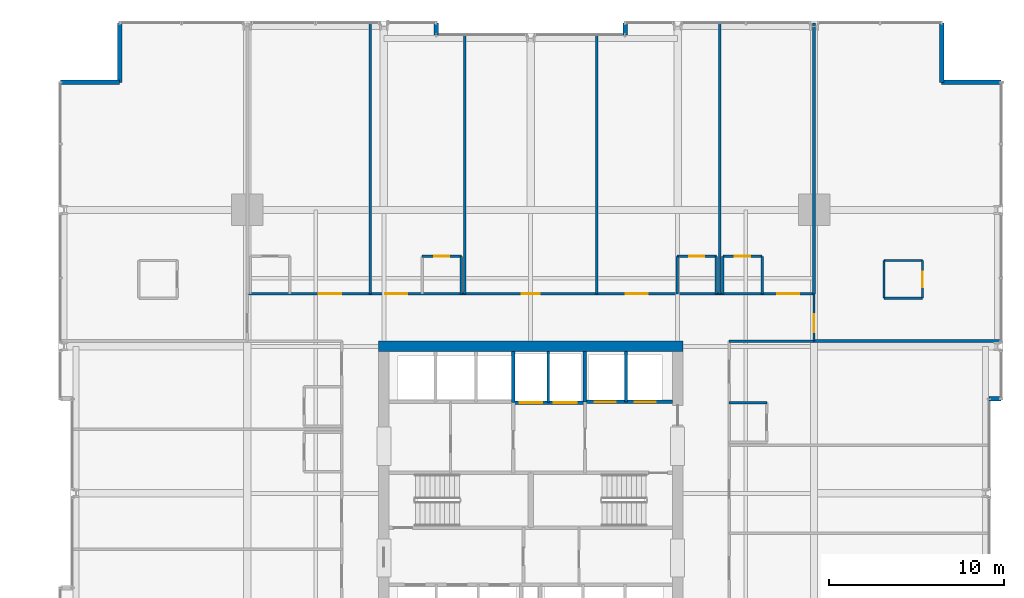
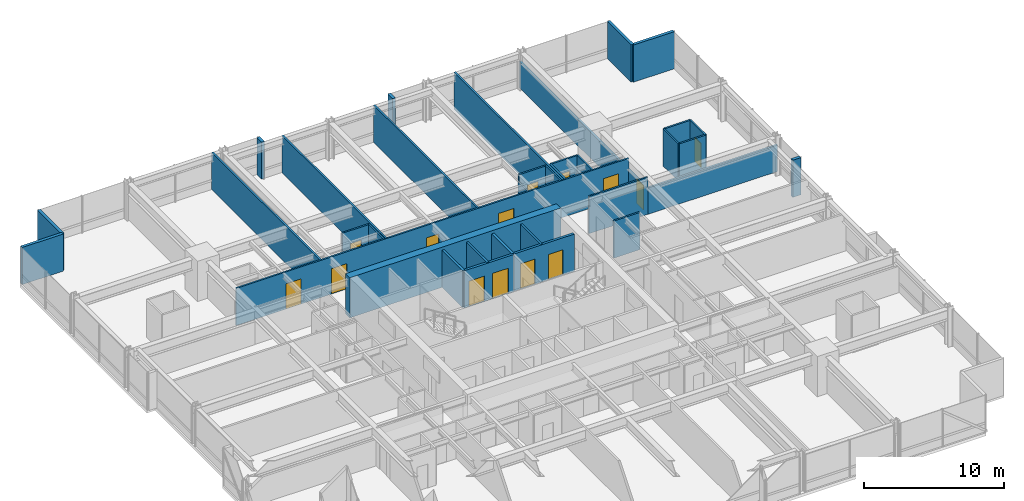
# One storey, part 33 of 39: 36 walls, 14 doors, 14 openings.
"""IFC4 building model written with IfcOpenShell, lengths in metres."""

from ifc_helpers import new_model, si_unit, direction, frame, frame_2d, origin, place, context, subcontext, project, spatial, rectangle, extrude, material, layer, layer_set, type_object, element, fill, save


model = new_model("IFC4")

# Units and contexts
model_context = context("Model", 3, precision=1e-05, world=origin(), true_north=direction((0.0, 1.0)))
body_context = subcontext(model_context, "Body", "Model", "MODEL_VIEW")
ifc_project = project(units=[si_unit("LENGTHUNIT", "METRE"), si_unit("AREAUNIT", "SQUARE_METRE"), si_unit("VOLUMEUNIT", "CUBIC_METRE"), si_unit("PLANEANGLEUNIT", "RADIAN"), si_unit("MASSUNIT", "GRAM", prefix="KILO")], contexts=[model_context])

# Site, building, storey
site_placement = place(None, origin())
site = spatial("IfcSite", under=ifc_project, at=site_placement, CompositionType="ELEMENT")
building_placement = place(site_placement, origin())
building = spatial("IfcBuilding", under=site, at=building_placement, Name="Drelvath Grand Hotel", CompositionType="ELEMENT")
storey_placement = place(building_placement, frame((0.0, 0.0, 54.199951171875)))
storey = spatial("IfcBuildingStorey", under=building, at=storey_placement, Name="L12", CompositionType="ELEMENT", Elevation=54.199951171875)

# Wall, openings, doors
ifc_material_1 = material(Name="Concrete C40/50", Category="concrete")
ifc_layer_1 = layer(ifc_material_1, 0.199951171875)
ifc_layer_set_1 = layer_set([ifc_layer_1], Name="Concrete C40/50")
wall_type_1 = type_object("IfcWallType", Name="Core Hoistway Fire Wall 200", PredefinedType="SOLIDWALL", material=ifc_layer_set_1)
wall_1_placement = place(storey_placement, frame((3.10009765625, 32.219970703125, 0.0), z_axis=(0.0, 0.0, 1.0), x_axis=(1.0, 0.0, 0.0)))
wall_1 = element("IfcWall", 1, at=wall_1_placement, inside=storey, type_object=wall_type_1, Name="L12 FSAE Hoistway Front Wall", PredefinedType="SOLIDWALL", context=body_context, shape_type="SweptSolid", body=[
    extrude(rectangle(XDim=5.0, YDim=0.199951171875, at=frame_2d((2.5, 0.0))), origin(), (0.0, 0.0, 1.0), 3.239990234375),
])
opening_1_placement = place(wall_1_placement, frame((0.550048828125, 0.0, 0.0)))
opening_1 = element("IfcOpeningElement", 2, at=opening_1_placement, cuts=wall_1, Name="Opening LD-FSAE-1", PredefinedType="OPENING", context=body_context, shape_type="SweptSolid", body=[
    extrude(rectangle(XDim=1.199951171875, YDim=2.199951171875, at=frame_2d((0.60009765625, 1.10009765625))), frame((0.0, 0.10986328125, 0.0), z_axis=(0.0, -1.0, 0.0), x_axis=(1.0, 0.0, 0.0)), (0.0, 0.0, 1.0), 0.219970703125),
])
opening_2_placement = place(wall_1_placement, frame((2.85009765625, 0.0, 0.0)))
opening_2 = element("IfcOpeningElement", 3, at=opening_2_placement, cuts=wall_1, Name="Opening LD-FSAE-2", PredefinedType="OPENING", context=body_context, shape_type="SweptSolid", body=[
    extrude(rectangle(XDim=1.199951171875, YDim=2.199951171875, at=frame_2d((0.60009765625, 1.10009765625))), frame((0.0, 0.10986328125, 0.0), z_axis=(0.0, -1.0, 0.0), x_axis=(1.0, 0.0, 0.0)), (0.0, 0.0, 1.0), 0.219970703125),
])
ifc_material_2 = material(Name="Stainless Steel S355", Category="steel")
door_type_1 = type_object("IfcDoorType", Name="FSAE Lift Sliding Landing Door 1200x2200", OperationType="NOTDEFINED", PredefinedType="DOOR", material=ifc_material_2)
door_1_placement = place(opening_1_placement, origin())
door_1 = element("IfcDoor", 4, at=door_1_placement, inside=storey, type_object=door_type_1, Name="L12 Lift FSAE-1 Landing Door", OperationType="SLIDING_TO_LEFT", OverallHeight=2.199951171875, OverallWidth=1.199951171875, PredefinedType="DOOR", context=body_context, shape_type="SweptSolid", body=[
    extrude(rectangle(XDim=1.199951171875, YDim=2.199951171875, at=frame_2d((0.60009765625, 1.10009765625))), frame((0.0, 0.02490234375, 0.0), z_axis=(0.0, -1.0, 0.0), x_axis=(1.0, 0.0, 0.0)), (0.0, 0.0, 1.0), 0.050048828125),
])
fill(opening_1, door_1)
door_2_placement = place(opening_2_placement, origin())
door_2 = element("IfcDoor", 5, at=door_2_placement, inside=storey, type_object=door_type_1, Name="L12 Lift FSAE-2 Landing Door", OperationType="SLIDING_TO_LEFT", OverallHeight=2.199951171875, OverallWidth=1.199951171875, PredefinedType="DOOR", context=body_context, shape_type="SweptSolid", body=[
    extrude(rectangle(XDim=1.199951171875, YDim=2.199951171875, at=frame_2d((0.60009765625, 1.10009765625))), frame((0.0, 0.02490234375, 0.0), z_axis=(0.0, -1.0, 0.0), x_axis=(1.0, 0.0, 0.0)), (0.0, 0.0, 1.0), 0.050048828125),
])
fill(opening_2, door_2)

# Wall
wall_2_placement = place(storey_placement, frame((3.10009765625, 32.219970703125, 0.0), z_axis=(0.0, 0.0, 1.0), x_axis=(0.0, 1.0, 0.0)))
element("IfcWall", 6, at=wall_2_placement, inside=storey, type_object=wall_type_1, Name="L12 FSAE Hoistway West Wall", PredefinedType="SOLIDWALL", context=body_context, shape_type="SweptSolid", body=[
    extrude(rectangle(XDim=2.880126953125, YDim=0.199951171875, at=frame_2d((1.43994140625, 0.0))), origin(), (0.0, 0.0, 1.0), 3.239990234375),
])

# Wall, openings, doors
wall_3_placement = place(storey_placement, frame((-1.0, 32.179931640625, 0.0), z_axis=(0.0, 0.0, 1.0), x_axis=(1.0, 0.0, 0.0)))
wall_3 = element("IfcWall", 7, at=wall_3_placement, inside=storey, type_object=wall_type_1, Name="L12 Service Lift Hoistway Wall", PredefinedType="SOLIDWALL", context=body_context, shape_type="SweptSolid", body=[
    extrude(rectangle(XDim=4.10009765625, YDim=0.199951171875, at=frame_2d((2.050048828125, 0.0))), origin(), (0.0, 0.0, 1.0), 3.239990234375),
])
opening_3_placement = place(wall_3_placement, frame((0.3701171875, 0.0, 0.0)))
opening_3 = element("IfcOpeningElement", 8, at=opening_3_placement, cuts=wall_3, Name="Opening LD-SV-2", PredefinedType="OPENING", context=body_context, shape_type="SweptSolid", body=[
    extrude(rectangle(XDim=1.300048828125, YDim=2.199951171875, at=frame_2d((0.64990234375, 1.10009765625))), frame((0.0, 0.10986328125, 0.0), z_axis=(0.0, -1.0, 0.0), x_axis=(1.0, 0.0, 0.0)), (0.0, 0.0, 1.0), 0.219970703125),
])
opening_4_placement = place(wall_3_placement, frame((2.330078125, 0.0, 0.0)))
opening_4 = element("IfcOpeningElement", 9, at=opening_4_placement, cuts=wall_3, Name="Opening LD-SV-1", PredefinedType="OPENING", context=body_context, shape_type="SweptSolid", body=[
    extrude(rectangle(XDim=1.300048828125, YDim=2.199951171875, at=frame_2d((0.64990234375, 1.10009765625))), frame((0.0, 0.10986328125, 0.0), z_axis=(0.0, -1.0, 0.0), x_axis=(1.0, 0.0, 0.0)), (0.0, 0.0, 1.0), 0.219970703125),
])
door_type_2 = type_object("IfcDoorType", Name="Service Lift Sliding Landing Door 1300x2200", OperationType="NOTDEFINED", PredefinedType="DOOR", material=ifc_material_2)
door_3_placement = place(opening_3_placement, origin())
door_3 = element("IfcDoor", 10, at=door_3_placement, inside=storey, type_object=door_type_2, Name="L12 Lift SV-2 Landing Door", OperationType="SLIDING_TO_LEFT", OverallHeight=2.199951171875, OverallWidth=1.300048828125, PredefinedType="DOOR", context=body_context, shape_type="SweptSolid", body=[
    extrude(rectangle(XDim=1.300048828125, YDim=2.199951171875, at=frame_2d((0.64990234375, 1.10009765625))), frame((0.0, 0.02490234375, 0.0), z_axis=(0.0, -1.0, 0.0), x_axis=(1.0, 0.0, 0.0)), (0.0, 0.0, 1.0), 0.050048828125),
])
fill(opening_3, door_3)
door_4_placement = place(opening_4_placement, origin())
door_4 = element("IfcDoor", 11, at=door_4_placement, inside=storey, type_object=door_type_2, Name="L12 Lift SV-1 Landing Door", OperationType="SLIDING_TO_LEFT", OverallHeight=2.199951171875, OverallWidth=1.300048828125, PredefinedType="DOOR", context=body_context, shape_type="SweptSolid", body=[
    extrude(rectangle(XDim=1.300048828125, YDim=2.199951171875, at=frame_2d((0.64990234375, 1.10009765625))), frame((0.0, 0.02490234375, 0.0), z_axis=(0.0, -1.0, 0.0), x_axis=(1.0, 0.0, 0.0)), (0.0, 0.0, 1.0), 0.050048828125),
])
fill(opening_4, door_4)

# Walls
wall_4_placement = place(storey_placement, frame((-1.0, 32.179931640625, 0.0), z_axis=(0.0, 0.0, 1.0), x_axis=(0.0, 1.0, 0.0)))
element("IfcWall", 12, at=wall_4_placement, inside=storey, type_object=wall_type_1, Name="L12 Service Lift West Wall", PredefinedType="SOLIDWALL", context=body_context, shape_type="SweptSolid", body=[
    extrude(rectangle(XDim=2.920166015625, YDim=0.199951171875, at=frame_2d((1.4599609375, 0.0))), origin(), (0.0, 0.0, 1.0), 3.239990234375),
])
ifc_material_3 = material(Name="Gypsum Fireboard Partition")
ifc_layer_2 = layer(ifc_material_3, 0.1650390625)
ifc_layer_set_2 = layer_set([ifc_layer_2], Name="Gypsum Fireboard Partition")
wall_type_2 = type_object("IfcWallType", Name="Core Shaft Partition 165", PredefinedType="PARTITIONING", material=ifc_layer_set_2)
wall_5_placement = place(storey_placement, frame((5.449951171875, 32.219970703125, 0.0), z_axis=(0.0, 0.0, 1.0), x_axis=(0.0, 1.0, 0.0)))
element("IfcWall", 13, at=wall_5_placement, inside=storey, type_object=wall_type_2, Name="L12 FSAE Hoistway Divider", PredefinedType="PARTITIONING", context=body_context, shape_type="SweptSolid", body=[
    extrude(rectangle(XDim=2.880126953125, YDim=0.1650390625, at=frame_2d((1.43994140625, 0.0))), origin(), (0.0, 0.0, 1.0), 3.239990234375),
])
wall_6_placement = place(storey_placement, frame((1.0, 32.179931640625, 0.0), z_axis=(0.0, 0.0, 1.0), x_axis=(0.0, 1.0, 0.0)))
element("IfcWall", 14, at=wall_6_placement, inside=storey, type_object=wall_type_2, Name="L12 Service Lift Divider", PredefinedType="PARTITIONING", context=body_context, shape_type="SweptSolid", body=[
    extrude(rectangle(XDim=2.920166015625, YDim=0.1650390625, at=frame_2d((1.4599609375, 0.0))), origin(), (0.0, 0.0, 1.0), 3.239990234375),
])

# Wall, openings, doors
ifc_layer_3 = layer(ifc_material_3, 0.135009765625)
ifc_layer_set_3 = layer_set([ifc_layer_3], Name="Gypsum Fireboard Partition")
wall_type_3 = type_object("IfcWallType", Name="Corridor Fire Barrier Wall 135", PredefinedType="PARTITIONING", material=ifc_layer_set_3)
wall_7_placement = place(storey_placement, frame((-16.199951171875, 38.39990234375, 0.0), z_axis=(0.0, 0.0, 1.0), x_axis=(1.0, 0.0, 0.0)))
wall_7 = element("IfcWall", 15, at=wall_7_placement, inside=storey, type_object=wall_type_3, Name="L12 North Corridor Wall", PredefinedType="PARTITIONING", context=body_context, shape_type="SweptSolid", body=[
    extrude(rectangle(XDim=32.39990234375, YDim=0.135009765625, at=frame_2d((16.199951171875, 0.0))), origin(), (0.0, 0.0, 1.0), 3.239990234375),
])
opening_5_placement = place(wall_7_placement, frame((4.094970703125, 0.0, 0.0)))
opening_5 = element("IfcOpeningElement", 16, at=opening_5_placement, cuts=wall_7, Name="Opening D-T1G3-035", PredefinedType="OPENING", context=body_context, shape_type="SweptSolid", body=[
    extrude(rectangle(XDim=1.260009765625, YDim=2.199951171875, at=frame_2d((0.6298828125, 1.10009765625))), frame((0.0, 0.077392578125, 0.0), z_axis=(0.0, -1.0, 0.0), x_axis=(1.0, 0.0, 0.0)), (0.0, 0.0, 1.0), 0.155029296875),
])
opening_6_placement = place(wall_7_placement, frame((7.875, 0.0, 0.0)))
opening_6 = element("IfcOpeningElement", 17, at=opening_6_placement, cuts=wall_7, Name="Opening D-T1G3-037", PredefinedType="OPENING", context=body_context, shape_type="SweptSolid", body=[
    extrude(rectangle(XDim=1.260009765625, YDim=2.199951171875, at=frame_2d((0.6298828125, 1.10009765625))), frame((0.0, 0.077392578125, 0.0), z_axis=(0.0, -1.0, 0.0), x_axis=(1.0, 0.0, 0.0)), (0.0, 0.0, 1.0), 0.155029296875),
])
opening_7_placement = place(wall_7_placement, frame((15.68994140625, 0.0, 0.0)))
opening_7 = element("IfcOpeningElement", 18, at=opening_7_placement, cuts=wall_7, Name="Opening D-T1G3-038", PredefinedType="OPENING", context=body_context, shape_type="SweptSolid", body=[
    extrude(rectangle(XDim=1.02001953125, YDim=2.14990234375, at=frame_2d((0.510009765625, 1.074951171875))), frame((0.0, 0.077392578125, 0.0), z_axis=(0.0, -1.0, 0.0), x_axis=(1.0, 0.0, 0.0)), (0.0, 0.0, 1.0), 0.155029296875),
])
opening_8_placement = place(wall_7_placement, frame((21.64501953125, 0.0, 0.0)))
opening_8 = element("IfcOpeningElement", 19, at=opening_8_placement, cuts=wall_7, Name="Opening D-T1G3-040", PredefinedType="OPENING", context=body_context, shape_type="SweptSolid", body=[
    extrude(rectangle(XDim=1.260009765625, YDim=2.199951171875, at=frame_2d((0.6298828125, 1.10009765625))), frame((0.0, 0.077392578125, 0.0), z_axis=(0.0, -1.0, 0.0), x_axis=(1.0, 0.0, 0.0)), (0.0, 0.0, 1.0), 0.155029296875),
])
opening_9_placement = place(wall_7_placement, frame((30.284912109375, 0.0, 0.0)))
opening_9 = element("IfcOpeningElement", 20, at=opening_9_placement, cuts=wall_7, Name="Opening D-T1G3-042", PredefinedType="OPENING", context=body_context, shape_type="SweptSolid", body=[
    extrude(rectangle(XDim=1.260009765625, YDim=2.199951171875, at=frame_2d((0.6298828125, 1.10009765625))), frame((0.0, 0.077392578125, 0.0), z_axis=(0.0, -1.0, 0.0), x_axis=(1.0, 0.0, 0.0)), (0.0, 0.0, 1.0), 0.155029296875),
])
ifc_material_4 = material(Name="Hardwood Walnut Timber", Category="wood")
door_type_3 = type_object("IfcDoorType", Name="Amenity Meeting Fire Door 1020x2150", OperationType="NOTDEFINED", PredefinedType="DOOR", material=ifc_material_4)
door_5_placement = place(opening_7_placement, origin())
door_5 = element("IfcDoor", 21, at=door_5_placement, inside=storey, type_object=door_type_3, Name="L12 Briefing Seminar Room Entry Door", OperationType="SINGLE_SWING_LEFT", OverallHeight=2.14990234375, OverallWidth=1.02001953125, PredefinedType="DOOR", context=body_context, shape_type="SweptSolid", body=[
    extrude(rectangle(XDim=1.02001953125, YDim=2.14990234375, at=frame_2d((0.510009765625, 1.074951171875))), frame((0.0, 0.02490234375, 0.0), z_axis=(0.0, -1.0, 0.0), x_axis=(1.0, 0.0, 0.0)), (0.0, 0.0, 1.0), 0.050048828125),
])
fill(opening_7, door_5)
door_type_4 = type_object("IfcDoorType", Name="Suite Entrance Fire Door 1260x2200", OperationType="NOTDEFINED", PredefinedType="DOOR", material=ifc_material_4)
door_6_placement = place(opening_5_placement, origin())
door_6 = element("IfcDoor", 22, at=door_6_placement, inside=storey, type_object=door_type_4, Name="L12 Corner Suite Entry Door", OperationType="SINGLE_SWING_RIGHT", OverallHeight=2.199951171875, OverallWidth=1.260009765625, PredefinedType="DOOR", context=body_context, shape_type="SweptSolid", body=[
    extrude(rectangle(XDim=1.260009765625, YDim=2.199951171875, at=frame_2d((0.6298828125, 1.10009765625))), frame((0.0, 0.02490234375, 0.0), z_axis=(0.0, -1.0, 0.0), x_axis=(1.0, 0.0, 0.0)), (0.0, 0.0, 1.0), 0.050048828125),
])
fill(opening_5, door_6)
door_7_placement = place(opening_6_placement, origin())
door_7 = element("IfcDoor", 23, at=door_7_placement, inside=storey, type_object=door_type_4, Name="L12 Corner Suite Entry Door", OperationType="SINGLE_SWING_RIGHT", OverallHeight=2.199951171875, OverallWidth=1.260009765625, PredefinedType="DOOR", context=body_context, shape_type="SweptSolid", body=[
    extrude(rectangle(XDim=1.260009765625, YDim=2.199951171875, at=frame_2d((0.6298828125, 1.10009765625))), frame((0.0, 0.02490234375, 0.0), z_axis=(0.0, -1.0, 0.0), x_axis=(1.0, 0.0, 0.0)), (0.0, 0.0, 1.0), 0.050048828125),
])
fill(opening_6, door_7)
door_8_placement = place(opening_8_placement, origin())
door_8 = element("IfcDoor", 24, at=door_8_placement, inside=storey, type_object=door_type_4, Name="L12 Corner Suite Entry Door", OperationType="SINGLE_SWING_LEFT", OverallHeight=2.199951171875, OverallWidth=1.260009765625, PredefinedType="DOOR", context=body_context, shape_type="SweptSolid", body=[
    extrude(rectangle(XDim=1.260009765625, YDim=2.199951171875, at=frame_2d((0.6298828125, 1.10009765625))), frame((0.0, 0.02490234375, 0.0), z_axis=(0.0, -1.0, 0.0), x_axis=(1.0, 0.0, 0.0)), (0.0, 0.0, 1.0), 0.050048828125),
])
fill(opening_8, door_8)
door_9_placement = place(opening_9_placement, origin())
door_9 = element("IfcDoor", 25, at=door_9_placement, inside=storey, type_object=door_type_4, Name="L12 Corner Suite Entry Door", OperationType="SINGLE_SWING_LEFT", OverallHeight=2.199951171875, OverallWidth=1.260009765625, PredefinedType="DOOR", context=body_context, shape_type="SweptSolid", body=[
    extrude(rectangle(XDim=1.260009765625, YDim=2.199951171875, at=frame_2d((0.6298828125, 1.10009765625))), frame((0.0, 0.02490234375, 0.0), z_axis=(0.0, -1.0, 0.0), x_axis=(1.0, 0.0, 0.0)), (0.0, 0.0, 1.0), 0.050048828125),
])
fill(opening_9, door_9)

# Wall
wall_8_placement = place(storey_placement, frame((11.35009765625, 35.699951171875, 0.0), z_axis=(0.0, 0.0, 1.0), x_axis=(1.0, 0.0, 0.0)))
element("IfcWall", 26, at=wall_8_placement, inside=storey, type_object=wall_type_3, Name="L12 NE Spur Inner Wall", PredefinedType="PARTITIONING", context=body_context, shape_type="SweptSolid", body=[
    extrude(rectangle(XDim=4.849853515625, YDim=0.135009765625, at=frame_2d((2.4248046875, 0.0))), origin(), (0.0, 0.0, 1.0), 3.239990234375),
])

# Wall, opening, door
wall_9_placement = place(storey_placement, frame((16.199951171875, 35.699951171875, 0.0), z_axis=(0.0, 0.0, 1.0), x_axis=(0.0, 1.0, 0.0)))
wall_9 = element("IfcWall", 27, at=wall_9_placement, inside=storey, type_object=wall_type_3, Name="L12 North Corridor East End", PredefinedType="PARTITIONING", context=body_context, shape_type="SweptSolid", body=[
    extrude(rectangle(XDim=2.699951171875, YDim=0.135009765625, at=frame_2d((1.35009765625, 0.0))), origin(), (0.0, 0.0, 1.0), 2.29833984375),
])
opening_10_placement = place(wall_9_placement, frame((0.52001953125, 0.0, 0.0)))
opening_10 = element("IfcOpeningElement", 28, at=opening_10_placement, cuts=wall_9, Name="Opening D-T1G3-024", PredefinedType="OPENING", context=body_context, shape_type="SweptSolid", body=[
    extrude(rectangle(XDim=1.02001953125, YDim=2.14990234375, at=frame_2d((0.510009765625, 1.074951171875))), frame((0.0, 0.077392578125, 0.0), z_axis=(0.0, -1.0, 0.0), x_axis=(1.0, 0.0, 0.0)), (0.0, 0.0, 1.0), 0.155029296875),
])
door_10_placement = place(opening_10_placement, origin())
door_10 = element("IfcDoor", 29, at=door_10_placement, inside=storey, type_object=door_type_3, Name="L12 Corner Suite Entry Door", OperationType="SINGLE_SWING_LEFT", OverallHeight=2.14990234375, OverallWidth=1.02001953125, PredefinedType="DOOR", context=body_context, shape_type="SweptSolid", body=[
    extrude(rectangle(XDim=1.02001953125, YDim=2.14990234375, at=frame_2d((0.510009765625, 1.074951171875))), frame((0.0, 0.02490234375, 0.0), z_axis=(0.0, -1.0, 0.0), x_axis=(1.0, 0.0, 0.0)), (0.0, 0.0, 1.0), 0.050048828125),
])
fill(opening_10, door_10)

# Walls
ifc_material_5 = material(Name="Moisture-Resistant Gypsum Board")
ifc_layer_4 = layer(ifc_material_5, 0.139892578125)
ifc_layer_set_4 = layer_set([ifc_layer_4], Name="Moisture-Resistant Gypsum Board")
wall_type_4 = type_object("IfcWallType", Name="En-Suite Plumbing Wall 140", PredefinedType="PLUMBINGWALL", material=ifc_layer_set_4)
for number, where, z_axis, x_axis, name in (
    (30, (20.199951171875, 38.159912109375, 0.0), (0.0, 0.0, 1.0), (1.0, 0.0, 0.0), "L12 Corner En-Suite South"),
    (31, (20.199951171875, 40.31005859375, 0.0), (0.0, 0.0, 1.0), (1.0, 0.0, 0.0), "L12 Corner En-Suite North"),
):
    element("IfcWall", number, at=place(storey_placement, frame(where, z_axis=z_axis, x_axis=x_axis)), inside=storey, type_object=wall_type_4, Name=name, PredefinedType="PLUMBINGWALL", context=body_context, shape_type="SweptSolid", body=[
        extrude(rectangle(XDim=2.199951171875, YDim=0.139892578125, at=frame_2d((1.10009765625, 0.0))), origin(), (0.0, 0.0, 1.0), 3.239990234375),
    ])
wall_10_placement = place(storey_placement, frame((20.199951171875, 38.159912109375, 0.0), z_axis=(0.0, 0.0, 1.0), x_axis=(0.0, 1.0, 0.0)))
element("IfcWall", 32, at=wall_10_placement, inside=storey, type_object=wall_type_4, Name="L12 Corner En-Suite West", PredefinedType="PLUMBINGWALL", context=body_context, shape_type="SweptSolid", body=[
    extrude(rectangle(XDim=2.150146484375, YDim=0.139892578125, at=frame_2d((1.0751953125, 0.0))), origin(), (0.0, 0.0, 1.0), 3.239990234375),
])

# Wall, opening, door
wall_11_placement = place(storey_placement, frame((22.39990234375, 38.159912109375, 0.0), z_axis=(0.0, 0.0, 1.0), x_axis=(0.0, 1.0, 0.0)))
wall_11 = element("IfcWall", 33, at=wall_11_placement, inside=storey, type_object=wall_type_4, Name="L12 Corner En-Suite East", PredefinedType="PLUMBINGWALL", context=body_context, shape_type="SweptSolid", body=[
    extrude(rectangle(XDim=2.150146484375, YDim=0.139892578125, at=frame_2d((1.0751953125, 0.0))), origin(), (0.0, 0.0, 1.0), 3.239990234375),
])
opening_11_placement = place(wall_11_placement, frame((0.6201171875, 0.0, 0.0)))
opening_11 = element("IfcOpeningElement", 34, at=opening_11_placement, cuts=wall_11, Name="Opening D-T1G3-023", PredefinedType="OPENING", context=body_context, shape_type="SweptSolid", body=[
    extrude(rectangle(XDim=0.8798828125, YDim=2.10009765625, at=frame_2d((0.43994140625, 1.050048828125))), frame((0.0, 0.079833984375, 0.0), z_axis=(0.0, -1.0, 0.0), x_axis=(1.0, 0.0, 0.0)), (0.0, 0.0, 1.0), 0.159912109375),
])
door_type_5 = type_object("IfcDoorType", Name="En-Suite Bathroom Door 880x2100", OperationType="NOTDEFINED", PredefinedType="DOOR", material=ifc_material_4)
door_11_placement = place(opening_11_placement, origin())
door_11 = element("IfcDoor", 35, at=door_11_placement, inside=storey, type_object=door_type_5, Name="L12 Corner En-Suite Door", OperationType="SINGLE_SWING_RIGHT", OverallHeight=2.10009765625, OverallWidth=0.8798828125, PredefinedType="DOOR", context=body_context, shape_type="SweptSolid", body=[
    extrude(rectangle(XDim=0.8798828125, YDim=2.10009765625, at=frame_2d((0.43994140625, 1.050048828125))), frame((0.0, 0.02490234375, 0.0), z_axis=(0.0, -1.0, 0.0), x_axis=(1.0, 0.0, 0.0)), (0.0, 0.0, 1.0), 0.050048828125),
])
fill(opening_11, door_11)

# Wall
wall_12_placement = place(storey_placement, frame((-3.9599609375, 38.39990234375, 0.0), z_axis=(0.0, 0.0, 1.0), x_axis=(0.0, 1.0, 0.0)))
element("IfcWall", 36, at=wall_12_placement, inside=storey, type_object=wall_type_4, Name="L12 En-Suite Right Wall", PredefinedType="PLUMBINGWALL", context=body_context, shape_type="SweptSolid", body=[
    extrude(rectangle(XDim=2.150146484375, YDim=0.139892578125, at=frame_2d((1.0751953125, 0.0))), origin(), (0.0, 0.0, 1.0), 3.239990234375),
])

# Wall, opening, door
wall_13_placement = place(storey_placement, frame((-6.2099609375, 40.550048828125, 0.0), z_axis=(0.0, 0.0, 1.0), x_axis=(1.0, 0.0, 0.0)))
wall_13 = element("IfcWall", 37, at=wall_13_placement, inside=storey, type_object=wall_type_4, Name="L12 En-Suite Front Wall", PredefinedType="PLUMBINGWALL", context=body_context, shape_type="SweptSolid", body=[
    extrude(rectangle(XDim=2.25, YDim=0.139892578125, at=frame_2d((1.125, 0.0))), origin(), (0.0, 0.0, 1.0), 3.239990234375),
])
opening_12_placement = place(wall_13_placement, frame((0.68505859375, 0.0, 0.0)))
opening_12 = element("IfcOpeningElement", 38, at=opening_12_placement, cuts=wall_13, Name="Opening D-T1G3-036", PredefinedType="OPENING", context=body_context, shape_type="SweptSolid", body=[
    extrude(rectangle(XDim=0.8798828125, YDim=2.10009765625, at=frame_2d((0.43994140625, 1.050048828125))), frame((0.0, 0.079833984375, 0.0), z_axis=(0.0, -1.0, 0.0), x_axis=(1.0, 0.0, 0.0)), (0.0, 0.0, 1.0), 0.159912109375),
])
door_12_placement = place(opening_12_placement, origin())
door_12 = element("IfcDoor", 39, at=door_12_placement, inside=storey, type_object=door_type_5, Name="L12 En-Suite Bathroom Door", OperationType="SINGLE_SWING_LEFT", OverallHeight=2.10009765625, OverallWidth=0.8798828125, PredefinedType="DOOR", context=body_context, shape_type="SweptSolid", body=[
    extrude(rectangle(XDim=0.8798828125, YDim=2.10009765625, at=frame_2d((0.43994140625, 1.050048828125))), frame((0.0, 0.02490234375, 0.0), z_axis=(0.0, -1.0, 0.0), x_axis=(1.0, 0.0, 0.0)), (0.0, 0.0, 1.0), 0.050048828125),
])
fill(opening_12, door_12)

# Walls
wall_14_placement = place(storey_placement, frame((8.3701171875, 38.39990234375, 0.0), z_axis=(0.0, 0.0, 1.0), x_axis=(0.0, 1.0, 0.0)))
element("IfcWall", 40, at=wall_14_placement, inside=storey, type_object=wall_type_4, Name="L12 En-Suite Left Wall", PredefinedType="PLUMBINGWALL", context=body_context, shape_type="SweptSolid", body=[
    extrude(rectangle(XDim=2.150146484375, YDim=0.139892578125, at=frame_2d((1.0751953125, 0.0))), origin(), (0.0, 0.0, 1.0), 2.617431640625),
])
wall_15_placement = place(storey_placement, frame((10.6201171875, 38.39990234375, 0.0), z_axis=(0.0, 0.0, 1.0), x_axis=(0.0, 1.0, 0.0)))
element("IfcWall", 41, at=wall_15_placement, inside=storey, type_object=wall_type_4, Name="L12 En-Suite Right Wall", PredefinedType="PLUMBINGWALL", context=body_context, shape_type="SweptSolid", body=[
    extrude(rectangle(XDim=2.150146484375, YDim=0.139892578125, at=frame_2d((1.0751953125, 0.0))), origin(), (0.0, 0.0, 1.0), 3.239990234375),
])

# Wall, opening, door
wall_16_placement = place(storey_placement, frame((8.3701171875, 40.550048828125, 0.0), z_axis=(0.0, 0.0, 1.0), x_axis=(1.0, 0.0, 0.0)))
wall_16 = element("IfcWall", 42, at=wall_16_placement, inside=storey, type_object=wall_type_4, Name="L12 En-Suite Front Wall", PredefinedType="PLUMBINGWALL", context=body_context, shape_type="SweptSolid", body=[
    extrude(rectangle(XDim=2.25, YDim=0.139892578125, at=frame_2d((1.125, 0.0))), origin(), (0.0, 0.0, 1.0), 3.239990234375),
])
opening_13_placement = place(wall_16_placement, frame((0.68505859375, 0.0, 0.0)))
opening_13 = element("IfcOpeningElement", 43, at=opening_13_placement, cuts=wall_16, Name="Opening D-T1G3-039", PredefinedType="OPENING", context=body_context, shape_type="SweptSolid", body=[
    extrude(rectangle(XDim=0.8798828125, YDim=2.10009765625, at=frame_2d((0.43994140625, 1.050048828125))), frame((0.0, 0.079833984375, 0.0), z_axis=(0.0, -1.0, 0.0), x_axis=(1.0, 0.0, 0.0)), (0.0, 0.0, 1.0), 0.159912109375),
])
door_13_placement = place(opening_13_placement, origin())
door_13 = element("IfcDoor", 44, at=door_13_placement, inside=storey, type_object=door_type_5, Name="L12 En-Suite Bathroom Door", OperationType="SINGLE_SWING_RIGHT", OverallHeight=2.10009765625, OverallWidth=0.8798828125, PredefinedType="DOOR", context=body_context, shape_type="SweptSolid", body=[
    extrude(rectangle(XDim=0.8798828125, YDim=2.10009765625, at=frame_2d((0.43994140625, 1.050048828125))), frame((0.0, 0.02490234375, 0.0), z_axis=(0.0, -1.0, 0.0), x_axis=(1.0, 0.0, 0.0)), (0.0, 0.0, 1.0), 0.050048828125),
])
fill(opening_13, door_13)

# Walls
for number, where, z_axis, x_axis, name in (
    (45, (10.97998046875, 38.39990234375, 0.0), (0.0, 0.0, 1.0), (0.0, 1.0, 0.0), "L12 En-Suite Left Wall"),
    (46, (13.22998046875, 38.39990234375, 0.0), (0.0, 0.0, 1.0), (0.0, 1.0, 0.0), "L12 En-Suite Right Wall"),
):
    element("IfcWall", number, at=place(storey_placement, frame(where, z_axis=z_axis, x_axis=x_axis)), inside=storey, type_object=wall_type_4, Name=name, PredefinedType="PLUMBINGWALL", context=body_context, shape_type="SweptSolid", body=[
        extrude(rectangle(XDim=2.150146484375, YDim=0.139892578125, at=frame_2d((1.0751953125, 0.0))), origin(), (0.0, 0.0, 1.0), 3.239990234375),
    ])

# Wall, opening, door
wall_17_placement = place(storey_placement, frame((10.97998046875, 40.550048828125, 0.0), z_axis=(0.0, 0.0, 1.0), x_axis=(1.0, 0.0, 0.0)))
wall_17 = element("IfcWall", 47, at=wall_17_placement, inside=storey, type_object=wall_type_4, Name="L12 En-Suite Front Wall", PredefinedType="PLUMBINGWALL", context=body_context, shape_type="SweptSolid", body=[
    extrude(rectangle(XDim=2.25, YDim=0.139892578125, at=frame_2d((1.125, 0.0))), origin(), (0.0, 0.0, 1.0), 3.239990234375),
])
opening_14_placement = place(wall_17_placement, frame((0.68505859375, 0.0, 0.0)))
opening_14 = element("IfcOpeningElement", 48, at=opening_14_placement, cuts=wall_17, Name="Opening D-T1G3-041", PredefinedType="OPENING", context=body_context, shape_type="SweptSolid", body=[
    extrude(rectangle(XDim=0.8798828125, YDim=2.10009765625, at=frame_2d((0.43994140625, 1.050048828125))), frame((0.0, 0.079833984375, 0.0), z_axis=(0.0, -1.0, 0.0), x_axis=(1.0, 0.0, 0.0)), (0.0, 0.0, 1.0), 0.159912109375),
])
door_14_placement = place(opening_14_placement, origin())
door_14 = element("IfcDoor", 49, at=door_14_placement, inside=storey, type_object=door_type_5, Name="L12 En-Suite Bathroom Door", OperationType="SINGLE_SWING_RIGHT", OverallHeight=2.10009765625, OverallWidth=0.8798828125, PredefinedType="DOOR", context=body_context, shape_type="SweptSolid", body=[
    extrude(rectangle(XDim=0.8798828125, YDim=2.10009765625, at=frame_2d((0.43994140625, 1.050048828125))), frame((0.0, 0.02490234375, 0.0), z_axis=(0.0, -1.0, 0.0), x_axis=(1.0, 0.0, 0.0)), (0.0, 0.0, 1.0), 0.050048828125),
])
fill(opening_14, door_14)

# Walls
wall_18_placement = place(storey_placement, frame((11.35009765625, 32.177490234375, 0.0), z_axis=(0.0, 0.0, 1.0), x_axis=(1.0, 0.0, 0.0)))
element("IfcWall", 50, at=wall_18_placement, inside=storey, type_object=wall_type_4, Name="L12 En-Suite Right Wall", PredefinedType="PLUMBINGWALL", context=body_context, shape_type="SweptSolid", body=[
    extrude(rectangle(XDim=2.14990234375, YDim=0.139892578125, at=frame_2d((1.074951171875, 0.0))), origin(), (0.0, 0.0, 1.0), 3.239990234375),
])
ifc_material_6 = material(Name="Gypsum Acoustic Partition")
ifc_layer_5 = layer(ifc_material_6, 0.14990234375)
ifc_layer_set_5 = layer_set([ifc_layer_5], Name="Gypsum Acoustic Partition")
wall_type_5 = type_object("IfcWallType", Name="Guestroom Demising Wall 150", PredefinedType="PARTITIONING", material=ifc_layer_set_5)
wall_19_placement = place(storey_placement, frame((-9.179931640625, 38.39990234375, 0.0), z_axis=(0.0, 0.0, 1.0), x_axis=(0.0, 1.0, 0.0)))
element("IfcWall", 51, at=wall_19_placement, inside=storey, type_object=wall_type_5, Name="L12 North Demising 1", PredefinedType="PARTITIONING", context=body_context, shape_type="SweptSolid", body=[
    extrude(rectangle(XDim=15.47998046875, YDim=0.14990234375, at=frame_2d((7.739990234375, 0.0))), origin(), (0.0, 0.0, 1.0), 3.239990234375),
])
for number, where, z_axis, x_axis, name in (
    (52, (-3.780029296875, 38.39990234375, 0.0), (0.0, 0.0, 1.0), (0.0, 1.0, 0.0), "L12 North Demising 2"),
    (53, (3.780029296875, 38.39990234375, 0.0), (0.0, 0.0, 1.0), (0.0, 1.0, 0.0), "L12 North Demising 3"),
):
    element("IfcWall", number, at=place(storey_placement, frame(where, z_axis=z_axis, x_axis=x_axis)), inside=storey, type_object=wall_type_5, Name=name, PredefinedType="PARTITIONING", context=body_context, shape_type="SweptSolid", body=[
        extrude(rectangle(XDim=14.800048828125, YDim=0.14990234375, at=frame_2d((7.39990234375, 0.0))), origin(), (0.0, 0.0, 1.0), 3.239990234375),
    ])
wall_20_placement = place(storey_placement, frame((10.800048828125, 38.39990234375, 0.0), z_axis=(0.0, 0.0, 1.0), x_axis=(0.0, 1.0, 0.0)))
element("IfcWall", 54, at=wall_20_placement, inside=storey, type_object=wall_type_5, Name="L12 North Demising 4", PredefinedType="PARTITIONING", context=body_context, shape_type="SweptSolid", body=[
    extrude(rectangle(XDim=15.47998046875, YDim=0.14990234375, at=frame_2d((7.739990234375, 0.0))), origin(), (0.0, 0.0, 1.0), 3.239990234375),
])
ifc_material_7 = material(Name="Concrete f'c 70 MPa", Category="concrete")
ifc_layer_6 = layer(ifc_material_7, 0.60009765625)
ifc_layer_set_6 = layer_set([ifc_layer_6], Name="Concrete f'c 70 MPa")
wall_type_6 = type_object("IfcWallType", Name="Lower Core RC Shear Wall 600", PredefinedType="SHEAR", material=ifc_layer_set_6)
wall_21_placement = place(storey_placement, frame((-8.699951171875, 35.39990234375, 0.0), z_axis=(0.0, 0.0, 1.0), x_axis=(1.0, 0.0, 0.0)))
element("IfcWall", 55, at=wall_21_placement, inside=storey, type_object=wall_type_6, Name="L12 Central Core Shear Wall N", PredefinedType="SHEAR", context=body_context, shape_type="SweptSolid", body=[
    extrude(rectangle(XDim=17.39990234375, YDim=0.60009765625, at=frame_2d((8.699951171875, 0.0))), origin(), (0.0, 0.0, 1.0), 3.5),
])
ifc_layer_7 = layer(ifc_material_6, 0.1650390625)
ifc_layer_set_7 = layer_set([ifc_layer_7], Name="Gypsum Acoustic Partition")
wall_type_7 = type_object("IfcWallType", Name="Suite Demising Wall 165", PredefinedType="PARTITIONING", material=ifc_layer_set_7)
wall_22_placement = place(storey_placement, frame((16.199951171875, 38.39990234375, 0.0), z_axis=(0.0, 0.0, 1.0), x_axis=(0.0, 1.0, 0.0)))
element("IfcWall", 56, at=wall_22_placement, inside=storey, type_object=wall_type_7, Name="L12 NE Wing Boundary Wall", PredefinedType="PARTITIONING", context=body_context, shape_type="SweptSolid", body=[
    extrude(rectangle(XDim=15.47998046875, YDim=0.1650390625, at=frame_2d((7.739990234375, 0.0))), origin(), (0.0, 0.0, 1.0), 2.29833984375),
])
wall_23_placement = place(storey_placement, frame((16.199951171875, 35.699951171875, 0.0), z_axis=(0.0, 0.0, 1.0), x_axis=(1.0, 0.0, 0.0)))
element("IfcWall", 57, at=wall_23_placement, inside=storey, type_object=wall_type_7, Name="L12 NE Corner South Wall", PredefinedType="PARTITIONING", context=body_context, shape_type="SweptSolid", body=[
    extrude(rectangle(XDim=10.679931640625, YDim=0.1650390625, at=frame_2d((5.33984375, 0.0))), origin(), (0.0, 0.0, 1.0), 2.29833984375),
])
ifc_material_8 = material(Name="Pale-Metal Insulated Aluminium Spandrel Assembly", Category="aluminium")
ifc_layer_8 = layer(ifc_material_8, 0.239990234375)
ifc_layer_set_8 = layer_set([ifc_layer_8], Name="Pale-Metal Insulated Aluminium Spandrel Assembly")
wall_type_8 = type_object("IfcWallType", Name="Tower Insulated Metal Spandrel Closure Wall 240", PredefinedType="STANDARD", material=ifc_layer_set_8)
for number, where, z_axis, x_axis, name in (
    (58, (-26.8798828125, 50.5, 0.0), (0.0, 0.0, 1.0), (1.0, 0.0, 0.0), "L12 Notched Corner Return Spandrel Wall CNW1"),
    (59, (-23.5, 50.5, 0.0), (0.0, 0.0, 1.0), (0.0, 1.0, 0.0), "L12 Notched Corner Return Spandrel Wall CNW2"),
    (60, (23.5, 53.8798828125, 0.0), (0.0, 0.0, 1.0), (0.0, -1.0, 0.0), "L12 Notched Corner Return Spandrel Wall CNE1"),
    (61, (23.5, 50.5, 0.0), (0.0, 0.0, 1.0), (1.0, 0.0, 0.0), "L12 Notched Corner Return Spandrel Wall CNE2"),
):
    element("IfcWall", number, at=place(storey_placement, frame(where, z_axis=z_axis, x_axis=x_axis)), inside=storey, type_object=wall_type_8, Name=name, PredefinedType="STANDARD", context=body_context, shape_type="SweptSolid", body=[
        extrude(rectangle(XDim=3.3798828125, YDim=0.239990234375, at=frame_2d((1.68994140625, 0.0))), origin(), (0.0, 0.0, 1.0), 3.239990234375),
    ])
for number, where, z_axis, x_axis, name in (
    (62, (26.8798828125, 32.39990234375, 0.0), (0.0, 0.0, 1.0), (-1.0, 0.0, 0.0), "L12 Notched Corner Return Spandrel Wall RE1"),
    (63, (-5.39990234375, 53.8798828125, 0.0), (0.0, 0.0, 1.0), (0.0, -1.0, 0.0), "L12 Notched Corner Return Spandrel Wall RN1"),
    (64, (5.39990234375, 53.199951171875, 0.0), (0.0, 0.0, 1.0), (0.0, 1.0, 0.0), "L12 Notched Corner Return Spandrel Wall RN2"),
):
    element("IfcWall", number, at=place(storey_placement, frame(where, z_axis=z_axis, x_axis=x_axis)), inside=storey, type_object=wall_type_8, Name=name, PredefinedType="STANDARD", context=body_context, shape_type="SweptSolid", body=[
        extrude(rectangle(XDim=0.679931640625, YDim=0.239990234375, at=frame_2d((0.33984375, 0.0))), origin(), (0.0, 0.0, 1.0), 3.239990234375),
    ])

save(model, "model.ifc")
